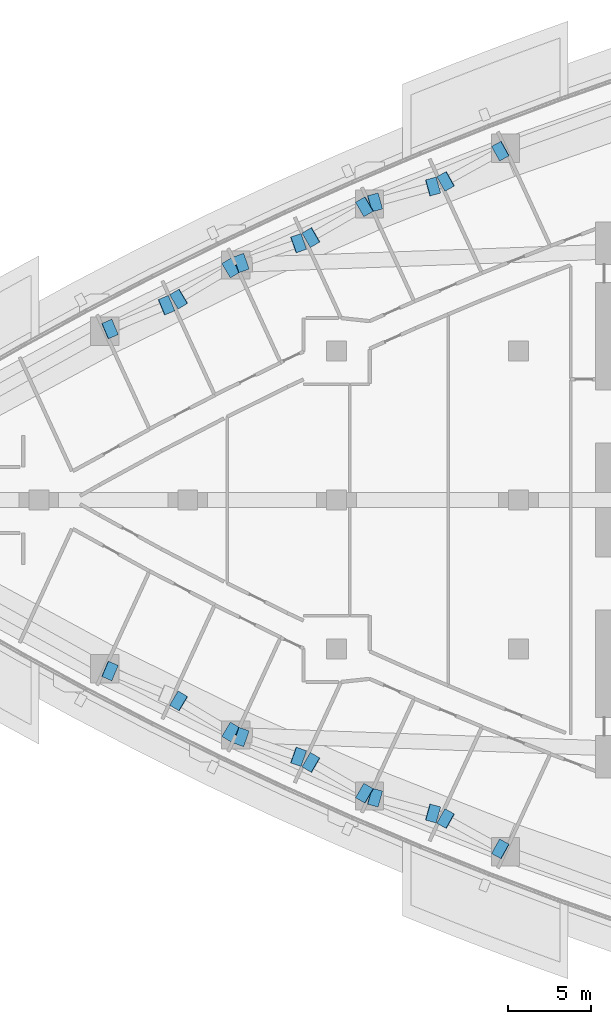
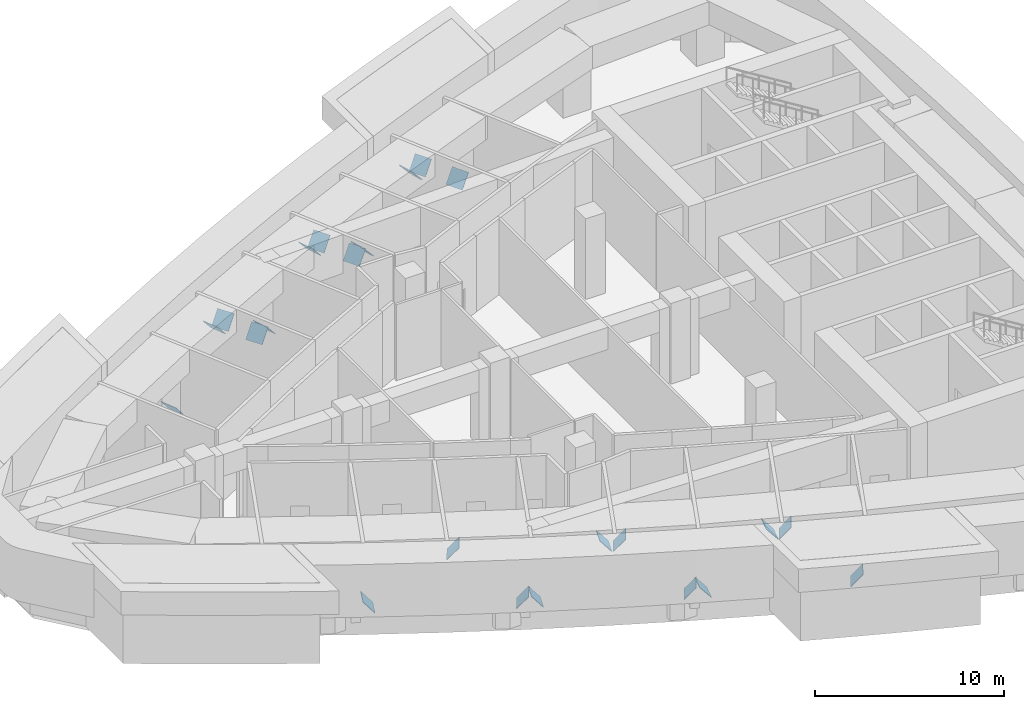
# One storey, part 14 of 19: 23 discrete accessories.
"""IFC4 building model written with IfcOpenShell, lengths in metres."""

from ifc_helpers import new_model, si_unit, direction, frame, origin, origin_2d, place, context, subcontext, project, spatial, rectangle, extrude, material, material_profile, profile_set, type_object, element, save


model = new_model("IFC4")

# Units and contexts
model_context = context("Model", 3, precision=1e-05, world=origin(), true_north=direction((0.0, 1.0)))
body_context = subcontext(model_context, "Body", "Model", "MODEL_VIEW")
ifc_project = project(units=[si_unit("LENGTHUNIT", "METRE"), si_unit("AREAUNIT", "SQUARE_METRE"), si_unit("VOLUMEUNIT", "CUBIC_METRE"), si_unit("PLANEANGLEUNIT", "RADIAN"), si_unit("MASSUNIT", "GRAM", prefix="KILO")], contexts=[model_context])

# Site, building, storey
site_placement = place(None, origin())
site = spatial("IfcSite", under=ifc_project, at=site_placement, CompositionType="ELEMENT")
building_placement = place(site_placement, origin())
building = spatial("IfcBuilding", under=site, at=building_placement, Name="Ostrand Prow Hotel Tower", CompositionType="ELEMENT")
storey_placement = place(building_placement, frame((0.0, 0.0, 120.39990234375)))
storey = spatial("IfcBuildingStorey", under=building, at=storey_placement, Name="L29", CompositionType="ELEMENT", Elevation=120.39990234375)

# Discrete accessories
ifc_material = material(Name="Steel S355", Category="steel")
ifc_material_profile = material_profile(ifc_material, rectangle(XDim=1.008056640625, YDim=1.008056640625, at=origin_2d()), Name="PL 1008x1008x35")
ifc_profile_set = profile_set([ifc_material_profile], Name="Steel S355")
discrete_accessory_type = type_object("IfcDiscreteAccessoryType", Name="Gusset plate 1008x1008x35 S355", PredefinedType="USERDEFINED", material=ifc_profile_set)
discrete_accessory_1_placement = place(storey_placement, frame((20.285888671875, -10.330322265625, 0.278076171875), z_axis=(0.705173848754, -0.300222529667, 0.642336575102), x_axis=(0.39171926606, 0.920084787722, 0.0)))
element("IfcDiscreteAccessory", 1, at=discrete_accessory_1_placement, inside=storey, type_object=discrete_accessory_type, Name="Gusset plate BR-01 foot", ObjectType="GUSSET PLATE", PredefinedType="USERDEFINED", context=body_context, shape_type="SweptSolid", body=[
    extrude(rectangle(XDim=1.008056640625, YDim=1.008056640625, at=origin_2d()), origin(), (0.0, 0.0, 1.0), 0.034912109375),
])
discrete_accessory_2_placement = place(storey_placement, frame((27.62353515625, -14.042724609375, 0.279296875), z_axis=(-0.654595465395, 0.389971766618, 0.647631683849), x_axis=(-0.511805175095, -0.859101543909, 0.0)))
element("IfcDiscreteAccessory", 2, at=discrete_accessory_2_placement, inside=storey, type_object=discrete_accessory_type, Name="Gusset plate BR-02 foot", ObjectType="GUSSET PLATE", PredefinedType="USERDEFINED", context=body_context, shape_type="SweptSolid", body=[
    extrude(rectangle(XDim=1.008056640625, YDim=1.008056640625, at=origin_2d()), origin(), (0.0, 0.0, 1.0), 0.03515625),
])
for number, where, z_axis, x_axis, name in (
    (3, (24.46533203125, -12.15625, 3.388916015625), (-0.657551702556, 0.391732929182, 0.6435612408), (-0.511805175095, -0.859101543909, 0.0), "Gusset plate BR-02 head"),
    (4, (28.218994140625, -14.3203125, 0.27978515625), (0.721692796767, -0.252242142559, 0.644618808763), (0.329942150632, 0.944001153197, 0.0), "Gusset plate BR-03 foot"),
    (5, (31.686279296875, -15.521484375, 3.388916015625), (0.721692796767, -0.252242142559, 0.644618808763), (0.329942150632, 0.944001153197, 0.0), "Gusset plate BR-03 head"),
    (6, (35.7001953125, -17.736083984375, 0.277099609375), (-0.663282332986, 0.384005561202, 0.642336575102), (-0.501036270542, -0.865426285481, 0.0), "Gusset plate BR-04 foot"),
    (7, (32.464599609375, -15.876953125, 3.388916015625), (-0.663282332986, 0.384005561202, 0.642336575102), (-0.501036270542, -0.865426285481, 0.0), "Gusset plate BR-04 head"),
    (8, (36.305419921875, -17.98828125, 0.281005859375), (0.733083658263, -0.202470724663, 0.649302668747), (0.266223154976, 0.963911423189, 0.0), "Gusset plate BR-05 foot"),
    (9, (39.815185546875, -18.94873046875, 3.388671875), (0.733083658263, -0.202470724663, 0.649302668747), (0.266223154976, 0.963911423189, 0.0), "Gusset plate BR-05 head"),
):
    element("IfcDiscreteAccessory", number, at=place(storey_placement, frame(where, z_axis=z_axis, x_axis=x_axis)), inside=storey, type_object=discrete_accessory_type, Name=name, ObjectType="GUSSET PLATE", PredefinedType="USERDEFINED", context=body_context, shape_type="SweptSolid", body=[
        extrude(rectangle(XDim=1.008056640625, YDim=1.008056640625, at=origin_2d()), origin(), (0.0, 0.0, 1.0), 0.034912109375),
    ])
discrete_accessory_3_placement = place(storey_placement, frame((43.91845703125, -21.10205078125, 0.27490234375), z_axis=(-0.67368835759, 0.371932114086, 0.638600422298), x_axis=(-0.483318397743, -0.875444644968, 0.0)))
element("IfcDiscreteAccessory", 10, at=discrete_accessory_3_placement, inside=storey, type_object=discrete_accessory_type, Name="Gusset plate BR-06 foot", ObjectType="GUSSET PLATE", PredefinedType="USERDEFINED", context=body_context, shape_type="SweptSolid", body=[
    extrude(rectangle(XDim=1.008056640625, YDim=1.008056640625, at=origin_2d()), origin(), (0.0, 0.0, 1.0), 0.03466796875),
])
discrete_accessory_4_placement = place(storey_placement, frame((40.607421875, -19.272705078125, 3.388916015625), z_axis=(-0.679491406644, 0.374413632233, 0.63095630617), x_axis=(-0.482604753647, -0.875838256619, 0.0)))
element("IfcDiscreteAccessory", 11, at=discrete_accessory_4_placement, inside=storey, type_object=discrete_accessory_type, Name="Gusset plate BR-06 head", ObjectType="GUSSET PLATE", PredefinedType="USERDEFINED", context=body_context, shape_type="SweptSolid", body=[
    extrude(rectangle(XDim=1.008056640625, YDim=1.008056640625, at=origin_2d()), origin(), (0.0, 0.0, 1.0), 0.03515625),
])
for number, where, z_axis, x_axis, name in (
    (12, (20.285888671875, 10.330322265625, 0.278076171875), (0.705173848754, 0.300222529667, 0.642336575102), (-0.39171926606, 0.920084787722, 0.0), "Gusset plate BR-07 foot"),
    (13, (23.70166015625, 11.77001953125, 3.388916015625), (0.706639352642, 0.293850027831, 0.643671489535), (-0.383966149783, 0.923347169715, 0.0), "Gusset plate BR-07 head"),
):
    element("IfcDiscreteAccessory", number, at=place(storey_placement, frame(where, z_axis=z_axis, x_axis=x_axis)), inside=storey, type_object=discrete_accessory_type, Name=name, ObjectType="GUSSET PLATE", PredefinedType="USERDEFINED", context=body_context, shape_type="SweptSolid", body=[
        extrude(rectangle(XDim=1.008056640625, YDim=1.008056640625, at=origin_2d()), origin(), (0.0, 0.0, 1.0), 0.034912109375),
    ])
discrete_accessory_5_placement = place(storey_placement, frame((27.62353515625, 14.042724609375, 0.279296875), z_axis=(-0.654595465395, -0.389971766618, 0.647631683849), x_axis=(0.511805175095, -0.859101543909, 0.0)))
element("IfcDiscreteAccessory", 14, at=discrete_accessory_5_placement, inside=storey, type_object=discrete_accessory_type, Name="Gusset plate BR-08 foot", ObjectType="GUSSET PLATE", PredefinedType="USERDEFINED", context=body_context, shape_type="SweptSolid", body=[
    extrude(rectangle(XDim=1.008056640625, YDim=1.008056640625, at=origin_2d()), origin(), (0.0, 0.0, 1.0), 0.03515625),
])
for number, where, z_axis, x_axis, name in (
    (15, (24.46533203125, 12.15625, 3.388916015625), (-0.657551702556, -0.391732929182, 0.6435612408), (0.511805175095, -0.859101543909, 0.0), "Gusset plate BR-08 head"),
    (16, (28.218994140625, 14.3203125, 0.27978515625), (0.721692796767, 0.252242142559, 0.644618808763), (-0.329942150632, 0.944001153197, 0.0), "Gusset plate BR-09 foot"),
    (17, (31.686279296875, 15.521484375, 3.388916015625), (0.721692796767, 0.252242142559, 0.644618808763), (-0.329942150632, 0.944001153197, 0.0), "Gusset plate BR-09 head"),
    (18, (35.7001953125, 17.736083984375, 0.277099609375), (-0.663282332986, -0.384005561202, 0.642336575102), (0.501036270542, -0.865426285481, 0.0), "Gusset plate BR-10 foot"),
    (19, (32.464599609375, 15.876953125, 3.388916015625), (-0.663282332986, -0.384005561202, 0.642336575102), (0.501036270542, -0.865426285481, 0.0), "Gusset plate BR-10 head"),
    (20, (36.305419921875, 17.98828125, 0.281005859375), (0.733083658263, 0.202470724663, 0.649302668747), (-0.266223154976, 0.963911423189, 0.0), "Gusset plate BR-11 foot"),
    (21, (39.815185546875, 18.94873046875, 3.388671875), (0.733083658263, 0.202470724663, 0.649302668747), (-0.266223154976, 0.963911423189, 0.0), "Gusset plate BR-11 head"),
):
    element("IfcDiscreteAccessory", number, at=place(storey_placement, frame(where, z_axis=z_axis, x_axis=x_axis)), inside=storey, type_object=discrete_accessory_type, Name=name, ObjectType="GUSSET PLATE", PredefinedType="USERDEFINED", context=body_context, shape_type="SweptSolid", body=[
        extrude(rectangle(XDim=1.008056640625, YDim=1.008056640625, at=origin_2d()), origin(), (0.0, 0.0, 1.0), 0.034912109375),
    ])
discrete_accessory_6_placement = place(storey_placement, frame((43.91845703125, 21.10205078125, 0.27490234375), z_axis=(-0.67368835759, -0.371932114086, 0.638600422298), x_axis=(0.483318397743, -0.875444644968, 0.0)))
element("IfcDiscreteAccessory", 22, at=discrete_accessory_6_placement, inside=storey, type_object=discrete_accessory_type, Name="Gusset plate BR-12 foot", ObjectType="GUSSET PLATE", PredefinedType="USERDEFINED", context=body_context, shape_type="SweptSolid", body=[
    extrude(rectangle(XDim=1.008056640625, YDim=1.008056640625, at=origin_2d()), origin(), (0.0, 0.0, 1.0), 0.03466796875),
])
discrete_accessory_7_placement = place(storey_placement, frame((40.607421875, 19.272705078125, 3.388916015625), z_axis=(-0.679491406644, -0.374413632233, 0.63095630617), x_axis=(0.482604753647, -0.875838256619, 0.0)))
element("IfcDiscreteAccessory", 23, at=discrete_accessory_7_placement, inside=storey, type_object=discrete_accessory_type, Name="Gusset plate BR-12 head", ObjectType="GUSSET PLATE", PredefinedType="USERDEFINED", context=body_context, shape_type="SweptSolid", body=[
    extrude(rectangle(XDim=1.008056640625, YDim=1.008056640625, at=origin_2d()), origin(), (0.0, 0.0, 1.0), 0.03515625),
])

save(model, "model.ifc")
